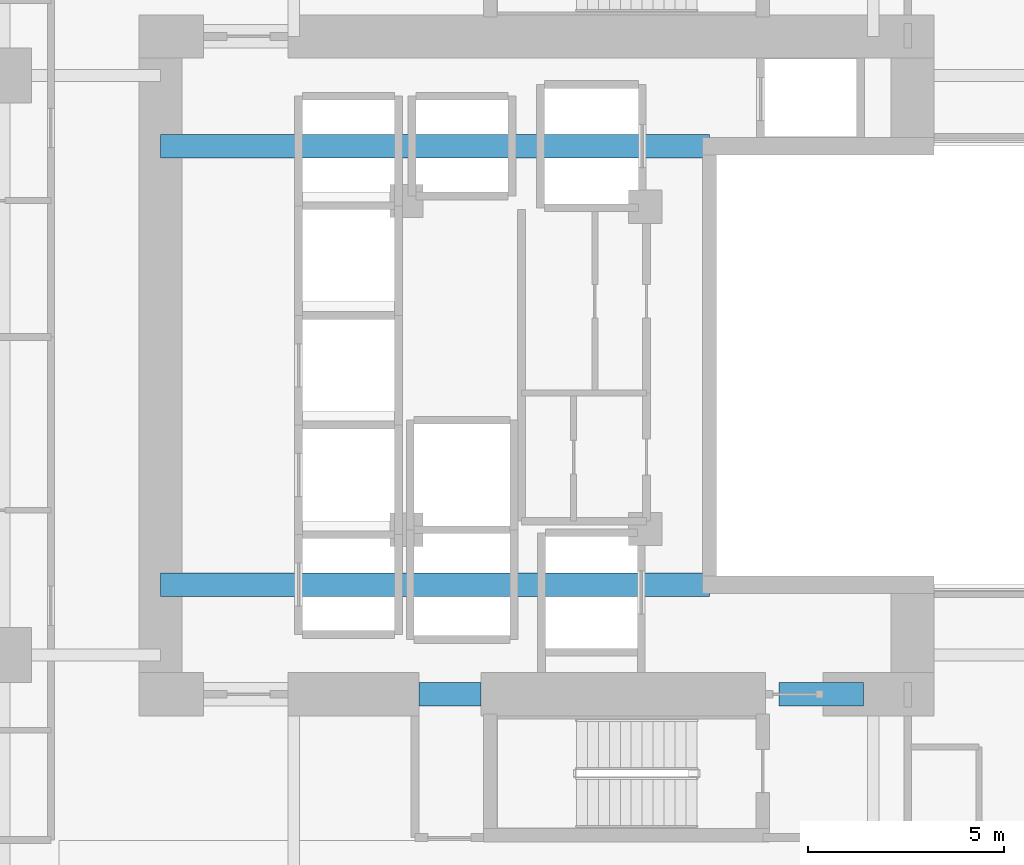
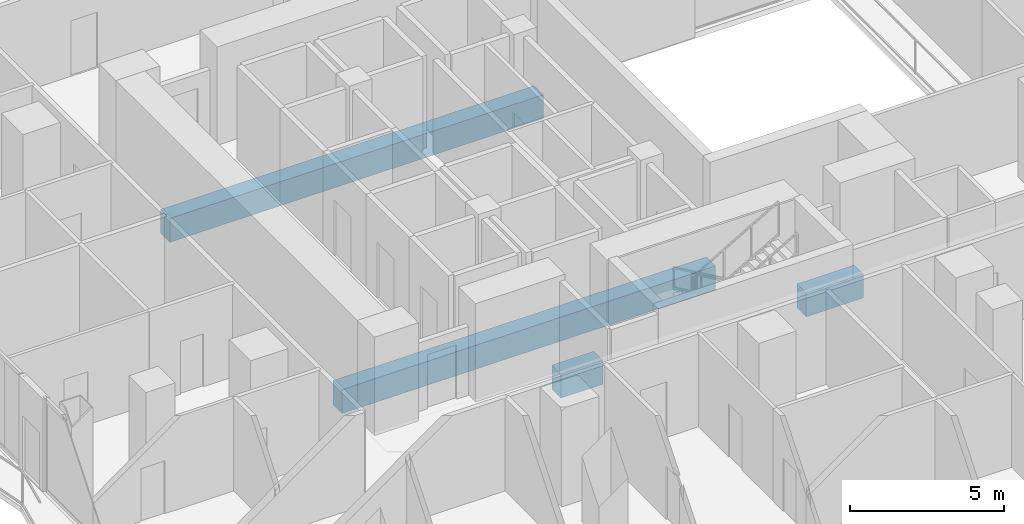
# One storey, part 7 of 28: 4 beams.
"""IFC4 building model written with IfcOpenShell, lengths in metres."""

from ifc_helpers import new_model, si_unit, direction, frame, origin, origin_2d, place, context, subcontext, project, spatial, rectangle, extrude, material, material_profile, profile_set, type_object, element, save


model = new_model("IFC4")

# Units and contexts
model_context = context("Model", 3, precision=1e-05, world=origin(), true_north=direction((0.0, 1.0)))
body_context = subcontext(model_context, "Body", "Model", "MODEL_VIEW")
ifc_project = project(units=[si_unit("LENGTHUNIT", "METRE"), si_unit("AREAUNIT", "SQUARE_METRE"), si_unit("VOLUMEUNIT", "CUBIC_METRE"), si_unit("PLANEANGLEUNIT", "RADIAN"), si_unit("MASSUNIT", "GRAM", prefix="KILO")], contexts=[model_context])

# Site, building, storey
site_placement = place(None, origin())
site = spatial("IfcSite", under=ifc_project, at=site_placement, CompositionType="ELEMENT")
building_placement = place(site_placement, origin())
building = spatial("IfcBuilding", under=site, at=building_placement, Name="Khorvyn Point Tower", CompositionType="ELEMENT")
storey_placement = place(building_placement, frame((0.0, 0.0, 34.5)))
storey = spatial("IfcBuildingStorey", under=building, at=storey_placement, Name="L09", CompositionType="ELEMENT", Elevation=34.5)

# Beams
ifc_material = material(Name="Concrete C50/60", Category="concrete")
ifc_material_profile = material_profile(ifc_material, rectangle(XDim=0.60009765625, YDim=0.949951171875, at=origin_2d()))
ifc_profile_set = profile_set([ifc_material_profile], Name="Concrete C50/60 RC600x950")
beam_type = type_object("IfcBeamType", Name="Concrete C50/60 Beam RC600x950", PredefinedType="BEAM", material=ifc_profile_set)
for number, where, z_axis, x_axis, name in (
    (1, (-10.800048828125, -5.60009765625, -0.695068359375), (1.0, 0.0, 0.0), (0.0, 1.0, 0.0), "L09 Core Internal Tie Girder S"),
    (2, (-10.800048828125, 5.60009765625, -0.695068359375), (1.0, 0.0, 0.0), (0.0, 1.0, 0.0), "L09 Core Internal Tie Girder N"),
):
    element("IfcBeam", number, at=place(storey_placement, frame(where, z_axis=z_axis, x_axis=x_axis)), inside=storey, type_object=beam_type, Name=name, PredefinedType="BEAM", context=body_context, shape_type="SweptSolid", body=[
        extrude(rectangle(XDim=0.60009765625, YDim=0.949951171875, at=origin_2d()), origin(), (0.0, 0.0, 1.0), 14.02001953125),
    ])
beam_1_placement = place(storey_placement, frame((-4.199951171875, -8.39990234375, -0.695068359375), z_axis=(1.0, 0.0, 0.0), x_axis=(0.0, 1.0, 0.0)))
element("IfcBeam", 3, at=beam_1_placement, inside=storey, type_object=beam_type, Name="L09 Core Shuttle Portal Coupling Beam", PredefinedType="BEAM", context=body_context, shape_type="SweptSolid", body=[
    extrude(rectangle(XDim=0.60009765625, YDim=0.949951171875, at=origin_2d()), origin(), (0.0, 0.0, 1.0), 1.579833984375),
])
beam_2_placement = place(storey_placement, frame((5.0, -8.39990234375, -0.695068359375), z_axis=(1.0, 0.0, 0.0), x_axis=(0.0, 1.0, 0.0)))
element("IfcBeam", 4, at=beam_2_placement, inside=storey, type_object=beam_type, Name="L09 Core Southeast Portal Coupling Beam", PredefinedType="BEAM", context=body_context, shape_type="SweptSolid", body=[
    extrude(rectangle(XDim=0.60009765625, YDim=0.949951171875, at=origin_2d()), origin(), (0.0, 0.0, 1.0), 2.14990234375),
])

save(model, "model.ifc")
